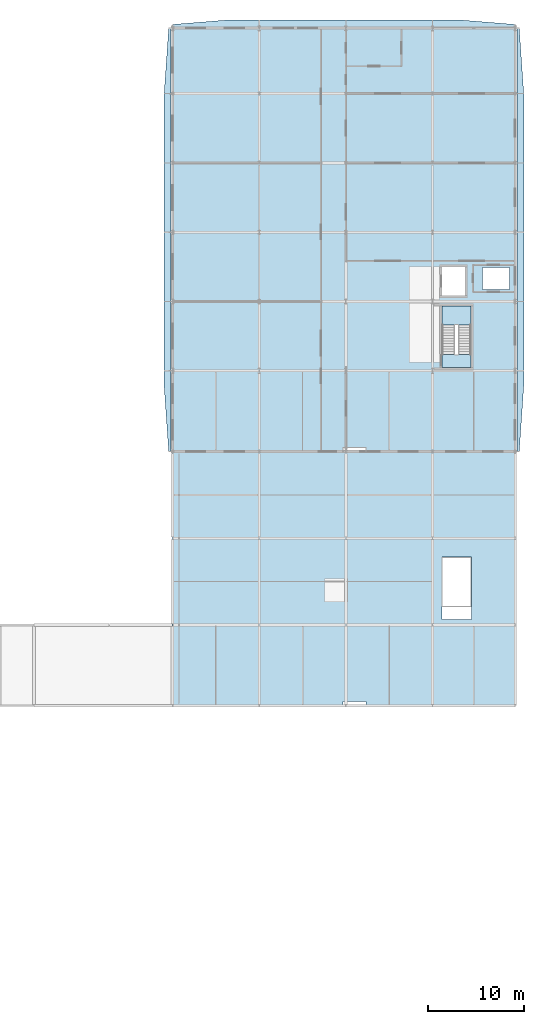
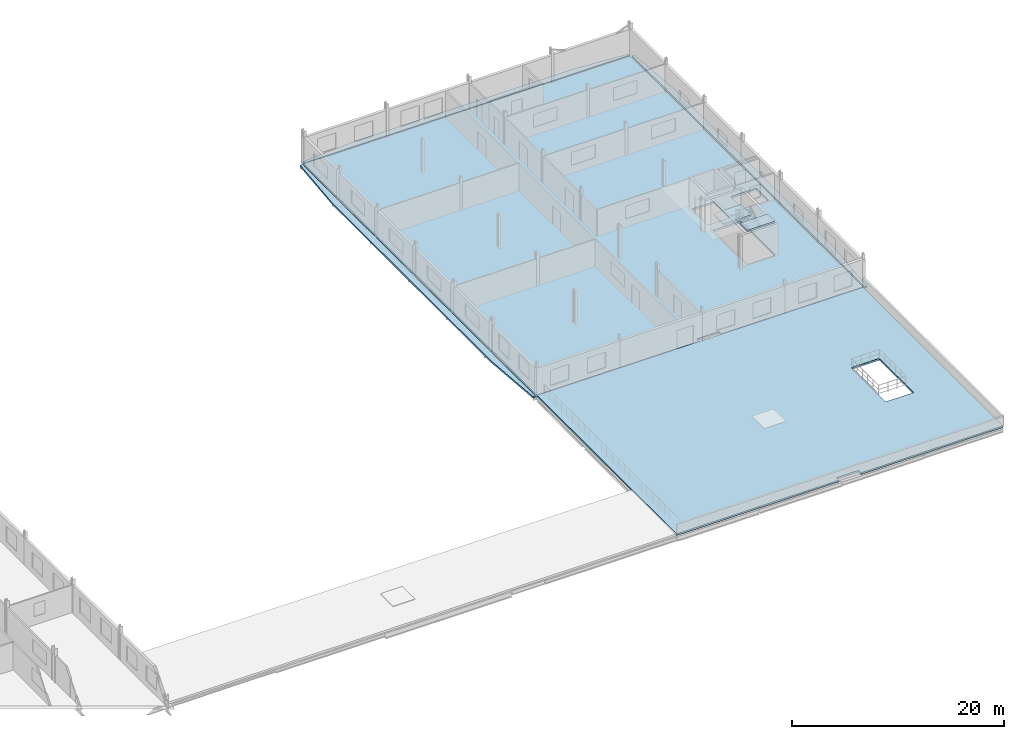
# One storey, part 56 of 78: 7 slabs, 1 element without a shape of its own.
"""IFC4 building model written with IfcOpenShell, lengths in metres."""

from ifc_helpers import new_model, si_unit, direction, frame, origin, place, context, subcontext, project, spatial, polyline, outline, extrude, material, layer, layer_set, type_object, element, aggregate, save


model = new_model("IFC4")

# Units and contexts
model_context = context("Model", 3, precision=1e-05, world=origin(), true_north=direction((0.0, 1.0)))
body_context = subcontext(model_context, "Body", "Model", "MODEL_VIEW")
ifc_project = project(units=[si_unit("LENGTHUNIT", "METRE"), si_unit("AREAUNIT", "SQUARE_METRE"), si_unit("VOLUMEUNIT", "CUBIC_METRE"), si_unit("PLANEANGLEUNIT", "RADIAN"), si_unit("MASSUNIT", "GRAM", prefix="KILO")], contexts=[model_context])

# Site, building, storey
site_placement = place(None, origin())
site = spatial("IfcSite", under=ifc_project, at=site_placement, CompositionType="ELEMENT")
building_placement = place(site_placement, origin())
building = spatial("IfcBuilding", under=site, at=building_placement, Name="Vinh Khe Railworks Police Headquarters", CompositionType="ELEMENT")
storey_placement = place(building_placement, frame((0.0, 0.0, 13.199951171875)))
storey = spatial("IfcBuildingStorey", under=building, at=storey_placement, Name="L03", CompositionType="ELEMENT", Elevation=13.199951171875)

# Slabs
ifc_material_1 = material(Name="Concrete C35/45 (B35)", Category="concrete")
ifc_layer_1 = layer(ifc_material_1, 0.199951171875)
ifc_layer_set_1 = layer_set([ifc_layer_1], Name="Concrete C35/45 (B35)")
slab_type_1 = type_object("IfcSlabType", Name="Flat Structural Roof Slab 200", PredefinedType="ROOF", material=ifc_layer_set_1)
slab_1_placement = place(storey_placement, frame((0.0, 0.0, -0.199951171875)))
element("IfcSlab", 1, at=slab_1_placement, inside=storey, type_object=slab_type_1, Name="V6A-ROOF Roof Slab (L03)", PredefinedType="ROOF", context=body_context, shape_type="SweptSolid", body=[
    extrude(outline(polyline([(78.0, 96.0), (95.699951171875, 96.0), (95.699951171875, 96.449951171875), (98.10009765625, 96.449951171875), (98.10009765625, 96.0), (113.60009765625, 96.0), (113.60009765625, 122.389892578125), (78.0, 122.389892578125), (78.0, 96.0)]), holes=[polyline([(105.969970703125, 104.969970703125), (109.030029296875, 104.969970703125), (109.030029296875, 111.429931640625), (105.969970703125, 111.429931640625), (105.969970703125, 104.969970703125)])]), origin(), (0.0, 0.0, 1.0), 0.199951171875),
])
slab_2_placement = place(storey_placement, frame((0.0, 0.0, -0.239990234375)))
element("IfcSlab", 2, at=slab_2_placement, inside=storey, type_object=slab_type_1, Name="Monsoon Window Eyebrow Hood V6W (L03)", PredefinedType="ROOF", context=body_context, shape_type="SweptSolid", body=[
    extrude(outline(polyline([(77.85009765625, 122.39990234375), (77.85009765625, 166.39990234375), (77.58740234375, 166.39990234375), (77.10009765625, 159.360107421875), (77.10009765625, 129.43994140625), (77.58740234375, 122.39990234375), (77.85009765625, 122.39990234375)])), origin(), (0.0, 0.0, 1.0), 0.199951171875),
])
slab_3_placement = place(storey_placement, frame((0.0, 0.0, -0.239990234375)))
element("IfcSlab", 3, at=slab_3_placement, inside=storey, type_object=slab_type_1, Name="Monsoon Window Eyebrow Hood V6E (L03)", PredefinedType="ROOF", context=body_context, shape_type="SweptSolid", body=[
    extrude(outline(polyline([(113.760009765625, 122.39990234375), (114.01904296875, 122.39990234375), (114.5, 129.43994140625), (114.5, 159.360107421875), (114.01904296875, 166.39990234375), (113.760009765625, 166.39990234375), (113.760009765625, 122.39990234375)])), origin(), (0.0, 0.0, 1.0), 0.199951171875),
])
slab_4_placement = place(storey_placement, frame((0.0, 0.0, -0.239990234375)))
element("IfcSlab", 4, at=slab_4_placement, inside=storey, type_object=slab_type_1, Name="Monsoon Window Eyebrow Hood V6N (L03)", PredefinedType="ROOF", context=body_context, shape_type="SweptSolid", body=[
    extrude(outline(polyline([(78.0, 166.5400390625), (113.60009765625, 166.5400390625), (113.60009765625, 166.78857421875), (107.904052734375, 167.25), (83.696044921875, 167.25), (78.0, 166.78857421875), (78.0, 166.5400390625)])), origin(), (0.0, 0.0, 1.0), 0.199951171875),
])

# Stair, slabs
ifc_material_2 = material(Name="Precast concrete C40/50 (B40)", Category="concrete")
stair_type = type_object("IfcStairType", Name="ST-CORE-DOGLEG", PredefinedType="HALF_TURN_STAIR", material=ifc_material_2)
stair_placement = place(storey_placement, origin())
stair = element("IfcStair", 5, at=stair_placement, inside=storey, type_object=stair_type, Name="L03 Escape Stair ST-03", PredefinedType="HALF_TURN_STAIR")
ifc_layer_2 = layer(ifc_material_1, 0.199951171875)
ifc_layer_set_2 = layer_set([ifc_layer_2], Name="Concrete C35/45 (B35)")
slab_type_2 = type_object("IfcSlabType", Name="SLB-LAND-200", PredefinedType="LANDING", material=ifc_layer_set_2)
slab_5_placement = place(storey_placement, frame((0.0, 0.0, 1.75)))
slab_5 = element("IfcSlab", 6, at=slab_5_placement, type_object=slab_type_2, Name="ST-03 landing 1", PredefinedType="LANDING", context=body_context, shape_type="SweptSolid", body=[
    extrude(outline(polyline([(109.0, 135.580078125), (109.0, 137.550048828125), (106.0, 137.550048828125), (106.0, 135.580078125), (109.0, 135.580078125)])), origin(), (0.0, 0.0, 1.0), 0.199951171875),
])
slab_6_placement = place(storey_placement, frame((0.0, 0.0, 3.699951171875)))
slab_6 = element("IfcSlab", 7, at=slab_6_placement, type_object=slab_type_2, Name="ST-03 landing 2", PredefinedType="LANDING", context=body_context, shape_type="SweptSolid", body=[
    extrude(outline(polyline([(105.97998046875, 131.1298828125), (109.02001953125, 131.1298828125), (109.02001953125, 132.510009765625), (105.97998046875, 132.510009765625), (105.97998046875, 131.1298828125)])), origin(), (0.0, 0.0, 1.0), 0.2001953125),
])
aggregate(stair, [slab_5, slab_6])

# Slab
ifc_layer_3 = layer(ifc_material_1, 0.219970703125)
ifc_layer_set_3 = layer_set([ifc_layer_3], Name="Concrete C35/45 (B35)")
slab_type_3 = type_object("IfcSlabType", Name="Suspended Floor Slab 220", PredefinedType="FLOOR", material=ifc_layer_set_3)
slab_7_placement = place(storey_placement, frame((0.0, 0.0, -0.219970703125)))
element("IfcSlab", 8, at=slab_7_placement, inside=storey, type_object=slab_type_3, Name="V6B Floor Slab (L03)", PredefinedType="FLOOR", context=body_context, shape_type="SweptSolid", body=[
    extrude(outline(polyline([(78.0, 122.39990234375), (95.699951171875, 122.39990234375), (95.699951171875, 122.85009765625), (98.10009765625, 122.85009765625), (98.10009765625, 122.39990234375), (113.60009765625, 122.39990234375), (113.60009765625, 166.39990234375), (78.0, 166.39990234375), (78.0, 122.39990234375)]), holes=[polyline([(105.969970703125, 131.1201171875), (109.030029296875, 131.1201171875), (109.030029296875, 137.580078125), (105.969970703125, 137.580078125), (105.969970703125, 131.1201171875)]), polyline([(105.97998046875, 138.580078125), (108.419921875, 138.580078125), (108.419921875, 141.6201171875), (105.97998046875, 141.6201171875), (105.97998046875, 138.580078125)]), polyline([(110.199951171875, 139.25), (113.0, 139.25), (113.0, 141.550048828125), (110.199951171875, 141.550048828125), (110.199951171875, 139.25)])]), origin(), (0.0, 0.0, 1.0), 0.219970703125),
])

save(model, "model.ifc")
